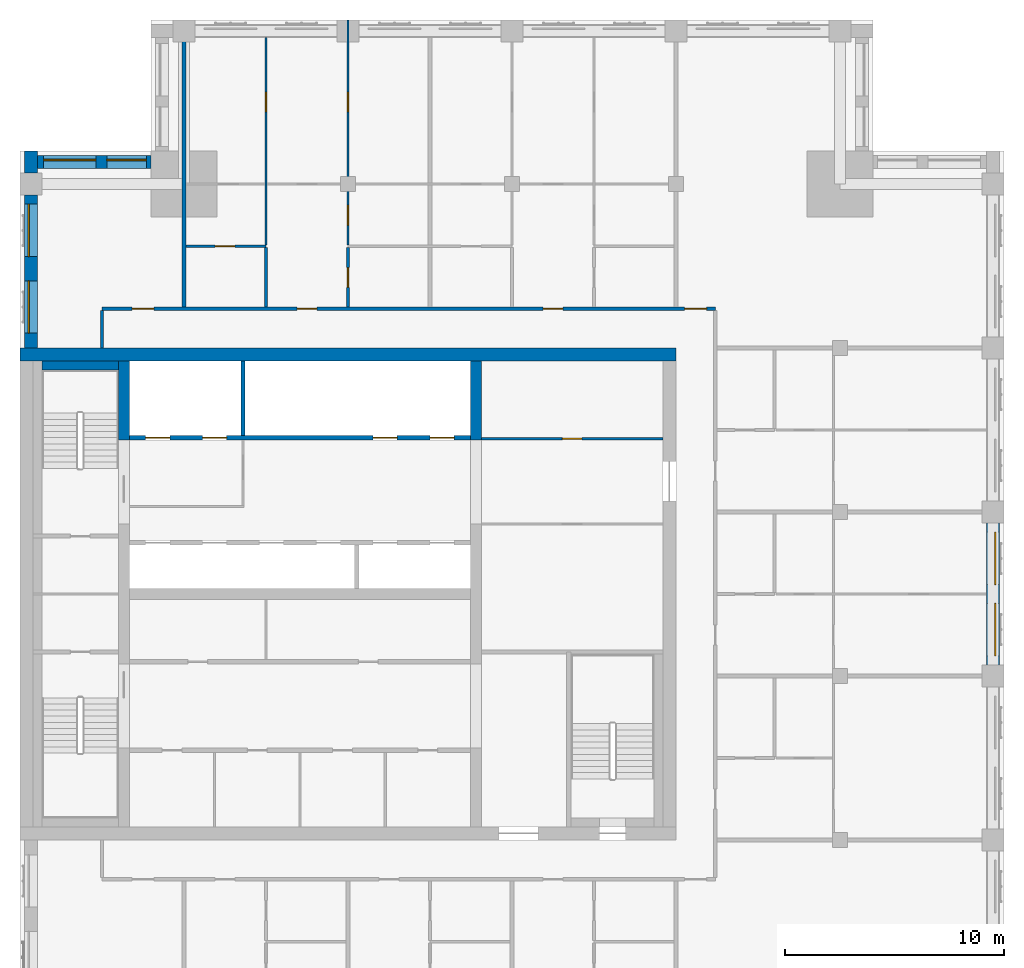
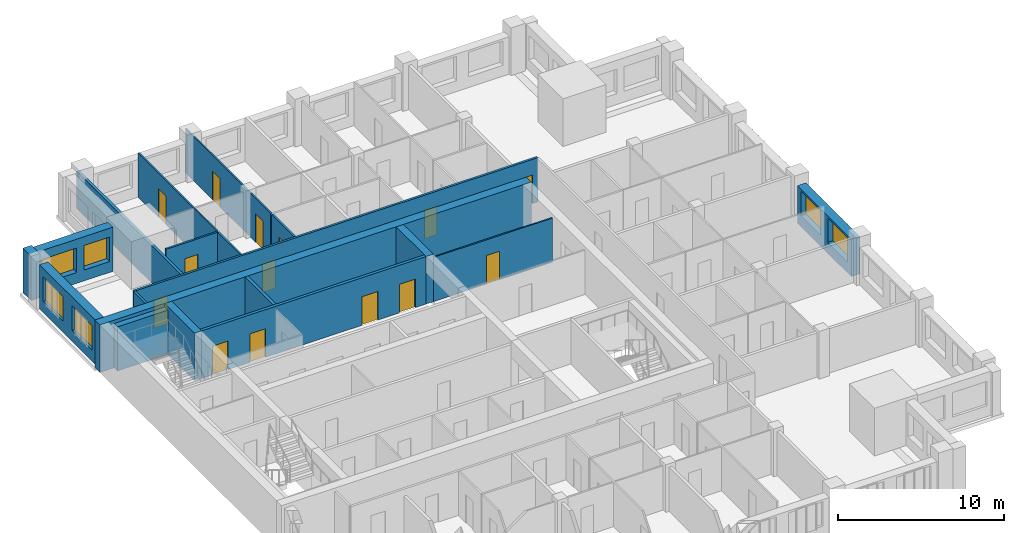
# One storey, part 6 of 10: 19 walls, 14 doors, 6 windows, 20 openings.
"""IFC4 building model written with IfcOpenShell, lengths in metres."""

from ifc_helpers import new_model, si_unit, direction, frame, frame_2d, origin, place, context, subcontext, project, spatial, rectangle, extrude, material, layer, layer_set, type_object, element, fill, save


model = new_model("IFC4")

# Units and contexts
model_context = context("Model", 3, precision=1e-05, world=origin(), true_north=direction((0.0, 1.0)))
body_context = subcontext(model_context, "Body", "Model", "MODEL_VIEW")
ifc_project = project(units=[si_unit("LENGTHUNIT", "METRE"), si_unit("AREAUNIT", "SQUARE_METRE"), si_unit("VOLUMEUNIT", "CUBIC_METRE"), si_unit("PLANEANGLEUNIT", "RADIAN"), si_unit("MASSUNIT", "GRAM", prefix="KILO")], contexts=[model_context])

# Site, building, storey
site_placement = place(None, origin())
site = spatial("IfcSite", under=ifc_project, at=site_placement, CompositionType="ELEMENT")
building_placement = place(site_placement, origin())
building = spatial("IfcBuilding", under=site, at=building_placement, Name="Tamorin Gate", CompositionType="ELEMENT")
storey_placement = place(building_placement, frame((0.0, 0.0, 276.699951171875)))
storey = spatial("IfcBuildingStorey", under=building, at=storey_placement, Name="L69", CompositionType="ELEMENT", Elevation=276.699951171875)

# Wall, openings, windows
ifc_material_1 = material(Name="Precast concrete C40/50", Category="concrete")
ifc_layer_1 = layer(ifc_material_1, 0.60009765625)
ifc_layer_set_1 = layer_set([ifc_layer_1], Name="Precast concrete C40/50")
wall_type_1 = type_object("IfcWallType", Name="Board-marked concrete facade panel 600", PredefinedType="SOLIDWALL", material=ifc_layer_set_1)
wall_1_placement = place(storey_placement, frame((74.5, 68.0, 0.0), z_axis=(0.0, 0.0, 1.0), x_axis=(0.0, 1.0, 0.0)))
wall_1 = element("IfcWall", 1, at=wall_1_placement, inside=storey, type_object=wall_type_1, Name="Facade panel", PredefinedType="SOLIDWALL", context=body_context, shape_type="SweptSolid", body=[
    extrude(rectangle(XDim=6.5, YDim=0.60009765625, at=frame_2d((3.25, 0.0))), origin(), (0.0, 0.0, 1.0), 2.75),
])
opening_1_placement = place(wall_1_placement, frame((0.425048828125, 0.0, 0.800048828125)))
opening_1 = element("IfcOpeningElement", 2, at=opening_1_placement, cuts=wall_1, Name="Opening WN1", PredefinedType="OPENING", context=body_context, shape_type="SweptSolid", body=[
    extrude(rectangle(XDim=2.39990234375, YDim=1.800048828125, at=frame_2d((1.199951171875, 0.89990234375))), frame((0.0, 0.31005859375, 0.0), z_axis=(0.0, -1.0, 0.0), x_axis=(1.0, 0.0, 0.0)), (0.0, 0.0, 1.0), 0.6201171875),
])
opening_2_placement = place(wall_1_placement, frame((3.675048828125, 0.0, 0.800048828125)))
opening_2 = element("IfcOpeningElement", 3, at=opening_2_placement, cuts=wall_1, Name="Opening WN1", PredefinedType="OPENING", context=body_context, shape_type="SweptSolid", body=[
    extrude(rectangle(XDim=2.39990234375, YDim=1.800048828125, at=frame_2d((1.199951171875, 0.89990234375))), frame((0.0, 0.31005859375, 0.0), z_axis=(0.0, -1.0, 0.0), x_axis=(1.0, 0.0, 0.0)), (0.0, 0.0, 1.0), 0.6201171875),
])
ifc_material_2 = material(Name="Clear glass in aluminium frame", Category="aluminium")
window_type_1 = type_object("IfcWindowType", Name="Deep-set window 2400x1800", PartitioningType="SINGLE_PANEL", PredefinedType="WINDOW", material=ifc_material_2)
window_1_placement = place(opening_1_placement, origin())
window_1 = element("IfcWindow", 4, at=window_1_placement, inside=storey, type_object=window_type_1, Name="Deep-set window", OverallHeight=1.800048828125, OverallWidth=2.39990234375, PartitioningType="SINGLE_PANEL", PredefinedType="WINDOW", context=body_context, shape_type="SweptSolid", body=[
    extrude(rectangle(XDim=2.39990234375, YDim=1.800048828125, at=frame_2d((1.199951171875, 0.89990234375))), frame((0.0, -0.070068359375, 0.0), z_axis=(0.0, -1.0, 0.0), x_axis=(1.0, 0.0, 0.0)), (0.0, 0.0, 1.0), 0.06005859375),
])
fill(opening_1, window_1)
window_2_placement = place(opening_2_placement, origin())
window_2 = element("IfcWindow", 5, at=window_2_placement, inside=storey, type_object=window_type_1, Name="Deep-set window", OverallHeight=1.800048828125, OverallWidth=2.39990234375, PartitioningType="SINGLE_PANEL", PredefinedType="WINDOW", context=body_context, shape_type="SweptSolid", body=[
    extrude(rectangle(XDim=2.39990234375, YDim=1.800048828125, at=frame_2d((1.199951171875, 0.89990234375))), frame((0.0, -0.070068359375, 0.0), z_axis=(0.0, -1.0, 0.0), x_axis=(1.0, 0.0, 0.0)), (0.0, 0.0, 1.0), 0.06005859375),
])
fill(opening_2, window_2)

wall_2_placement = place(storey_placement, frame((36.0, 91.0, 0.0), z_axis=(0.0, 0.0, 1.0), x_axis=(-1.0, 0.0, 0.0)))
wall_2 = element("IfcWall", 6, at=wall_2_placement, inside=storey, type_object=wall_type_1, Name="Facade panel", PredefinedType="SOLIDWALL", context=body_context, shape_type="SweptSolid", body=[
    extrude(rectangle(XDim=5.199951171875, YDim=0.60009765625, at=frame_2d((2.60009765625, 0.0))), origin(), (0.0, 0.0, 1.0), 3.25),
])
opening_3_placement = place(wall_2_placement, frame((2.52490234375, 0.0, 0.800048828125)))
opening_3 = element("IfcOpeningElement", 7, at=opening_3_placement, cuts=wall_2, Name="Opening WN1", PredefinedType="OPENING", context=body_context, shape_type="SweptSolid", body=[
    extrude(rectangle(XDim=2.39990234375, YDim=1.800048828125, at=frame_2d((1.199951171875, 0.89990234375))), frame((0.0, 0.31005859375, 0.0), z_axis=(0.0, -1.0, 0.0), x_axis=(1.0, 0.0, 0.0)), (0.0, 0.0, 1.0), 0.6201171875),
])
opening_4_placement = place(wall_2_placement, frame((0.22509765625, 0.0, 0.800048828125)))
opening_4 = element("IfcOpeningElement", 8, at=opening_4_placement, cuts=wall_2, Name="Opening WN2", PredefinedType="OPENING", context=body_context, shape_type="SweptSolid", body=[
    extrude(rectangle(XDim=1.800048828125, YDim=1.800048828125, at=frame_2d((0.89990234375, 0.89990234375))), frame((0.0, 0.31005859375, 0.0), z_axis=(0.0, -1.0, 0.0), x_axis=(1.0, 0.0, 0.0)), (0.0, 0.0, 1.0), 0.6201171875),
])
window_type_2 = type_object("IfcWindowType", Name="Deep-set window 1800x1800", PartitioningType="SINGLE_PANEL", PredefinedType="WINDOW", material=ifc_material_2)
window_3_placement = place(opening_4_placement, origin())
window_3 = element("IfcWindow", 9, at=window_3_placement, inside=storey, type_object=window_type_2, Name="Deep-set window", OverallHeight=1.800048828125, OverallWidth=1.800048828125, PartitioningType="SINGLE_PANEL", PredefinedType="WINDOW", context=body_context, shape_type="SweptSolid", body=[
    extrude(rectangle(XDim=1.800048828125, YDim=1.800048828125, at=frame_2d((0.89990234375, 0.89990234375))), frame((0.0, -0.070068359375, 0.0), z_axis=(0.0, -1.0, 0.0), x_axis=(1.0, 0.0, 0.0)), (0.0, 0.0, 1.0), 0.06005859375),
])
fill(opening_4, window_3)
window_4_placement = place(opening_3_placement, origin())
window_4 = element("IfcWindow", 10, at=window_4_placement, inside=storey, type_object=window_type_1, Name="Deep-set window", OverallHeight=1.800048828125, OverallWidth=2.39990234375, PartitioningType="SINGLE_PANEL", PredefinedType="WINDOW", context=body_context, shape_type="SweptSolid", body=[
    extrude(rectangle(XDim=2.39990234375, YDim=1.800048828125, at=frame_2d((1.199951171875, 0.89990234375))), frame((0.0, -0.070068359375, 0.0), z_axis=(0.0, -1.0, 0.0), x_axis=(1.0, 0.0, 0.0)), (0.0, 0.0, 1.0), 0.06005859375),
])
fill(opening_3, window_4)

# Wall
wall_3_placement = place(storey_placement, frame((30.5, 91.5, 0.0), z_axis=(0.0, 0.0, 1.0), x_axis=(0.0, -1.0, 0.0)))
element("IfcWall", 11, at=wall_3_placement, inside=storey, type_object=wall_type_1, Name="Facade panel", PredefinedType="SOLIDWALL", context=body_context, shape_type="SweptSolid", body=[
    extrude(rectangle(XDim=1.0, YDim=0.60009765625, at=frame_2d((0.5, 0.0))), origin(), (0.0, 0.0, 1.0), 3.25),
])

# Wall, openings, windows
wall_4_placement = place(storey_placement, frame((30.5, 89.5, 0.0), z_axis=(0.0, 0.0, 1.0), x_axis=(0.0, -1.0, 0.0)))
wall_4 = element("IfcWall", 12, at=wall_4_placement, inside=storey, type_object=wall_type_1, Name="Facade panel", PredefinedType="SOLIDWALL", context=body_context, shape_type="SweptSolid", body=[
    extrude(rectangle(XDim=7.0, YDim=0.60009765625, at=frame_2d((3.5, 0.0))), origin(), (0.0, 0.0, 1.0), 3.25),
])
opening_5_placement = place(wall_4_placement, frame((3.925048828125, 0.0, 0.800048828125)))
opening_5 = element("IfcOpeningElement", 13, at=opening_5_placement, cuts=wall_4, Name="Opening WN1", PredefinedType="OPENING", context=body_context, shape_type="SweptSolid", body=[
    extrude(rectangle(XDim=2.39990234375, YDim=1.800048828125, at=frame_2d((1.199951171875, 0.89990234375))), frame((0.0, 0.31005859375, 0.0), z_axis=(0.0, -1.0, 0.0), x_axis=(1.0, 0.0, 0.0)), (0.0, 0.0, 1.0), 0.6201171875),
])
opening_6_placement = place(wall_4_placement, frame((0.425048828125, 0.0, 0.800048828125)))
opening_6 = element("IfcOpeningElement", 14, at=opening_6_placement, cuts=wall_4, Name="Opening WN1", PredefinedType="OPENING", context=body_context, shape_type="SweptSolid", body=[
    extrude(rectangle(XDim=2.39990234375, YDim=1.800048828125, at=frame_2d((1.199951171875, 0.89990234375))), frame((0.0, 0.31005859375, 0.0), z_axis=(0.0, -1.0, 0.0), x_axis=(1.0, 0.0, 0.0)), (0.0, 0.0, 1.0), 0.6201171875),
])
window_5_placement = place(opening_5_placement, origin())
window_5 = element("IfcWindow", 15, at=window_5_placement, inside=storey, type_object=window_type_1, Name="Deep-set window", OverallHeight=1.800048828125, OverallWidth=2.39990234375, PartitioningType="SINGLE_PANEL", PredefinedType="WINDOW", context=body_context, shape_type="SweptSolid", body=[
    extrude(rectangle(XDim=2.39990234375, YDim=1.800048828125, at=frame_2d((1.199951171875, 0.89990234375))), frame((0.0, -0.070068359375, 0.0), z_axis=(0.0, -1.0, 0.0), x_axis=(1.0, 0.0, 0.0)), (0.0, 0.0, 1.0), 0.06005859375),
])
fill(opening_5, window_5)
window_6_placement = place(opening_6_placement, origin())
window_6 = element("IfcWindow", 16, at=window_6_placement, inside=storey, type_object=window_type_1, Name="Deep-set window", OverallHeight=1.800048828125, OverallWidth=2.39990234375, PartitioningType="SINGLE_PANEL", PredefinedType="WINDOW", context=body_context, shape_type="SweptSolid", body=[
    extrude(rectangle(XDim=2.39990234375, YDim=1.800048828125, at=frame_2d((1.199951171875, 0.89990234375))), frame((0.0, -0.070068359375, 0.0), z_axis=(0.0, -1.0, 0.0), x_axis=(1.0, 0.0, 0.0)), (0.0, 0.0, 1.0), 0.06005859375),
])
fill(opening_6, window_6)

# Wall, openings, doors
ifc_material_3 = material(Name="Gypsum board partition")
ifc_layer_2 = layer(ifc_material_3, 0.14990234375)
ifc_layer_set_2 = layer_set([ifc_layer_2], Name="Corridor wall 150")
wall_type_2 = type_object("IfcWallType", Name="Corridor wall 150", PredefinedType="PARTITIONING", material=ifc_layer_set_2)
wall_5_placement = place(storey_placement, frame((33.75, 84.300048828125, 0.0), z_axis=(0.0, 0.0, 1.0), x_axis=(1.0, 0.0, 0.0)))
wall_5 = element("IfcWall", 17, at=wall_5_placement, inside=storey, type_object=wall_type_2, Name="Corridor wall 150", PredefinedType="PARTITIONING", context=body_context, shape_type="SweptSolid", body=[
    extrude(rectangle(XDim=28.050048828125, YDim=0.14990234375, at=frame_2d((14.02490234375, 0.0))), origin(), (0.0, 0.0, 1.0), 3.25),
])
opening_7_placement = place(wall_5_placement, frame((1.375, 0.0, 0.0)))
opening_7 = element("IfcOpeningElement", 18, at=opening_7_placement, cuts=wall_5, Name="Opening DR11017", PredefinedType="OPENING", context=body_context, shape_type="SweptSolid", body=[
    extrude(rectangle(XDim=1.0, YDim=2.10009765625, at=frame_2d((0.5, 1.050048828125))), frame((0.0, 0.0849609375, 0.0), z_axis=(0.0, -1.0, 0.0), x_axis=(1.0, 0.0, 0.0)), (0.0, 0.0, 1.0), 0.169921875),
])
opening_8_placement = place(wall_5_placement, frame((8.925048828125, 0.0, 0.0)))
opening_8 = element("IfcOpeningElement", 19, at=opening_8_placement, cuts=wall_5, Name="Opening DR11020", PredefinedType="OPENING", context=body_context, shape_type="SweptSolid", body=[
    extrude(rectangle(XDim=0.89990234375, YDim=2.10009765625, at=frame_2d((0.449951171875, 1.050048828125))), frame((0.0, 0.0849609375, 0.0), z_axis=(0.0, -1.0, 0.0), x_axis=(1.0, 0.0, 0.0)), (0.0, 0.0, 1.0), 0.169921875),
])
opening_9_placement = place(wall_5_placement, frame((20.175048828125, 0.0, 0.0)))
opening_9 = element("IfcOpeningElement", 20, at=opening_9_placement, cuts=wall_5, Name="Opening DR11028", PredefinedType="OPENING", context=body_context, shape_type="SweptSolid", body=[
    extrude(rectangle(XDim=0.89990234375, YDim=2.10009765625, at=frame_2d((0.449951171875, 1.050048828125))), frame((0.0, 0.0849609375, 0.0), z_axis=(0.0, -1.0, 0.0), x_axis=(1.0, 0.0, 0.0)), (0.0, 0.0, 1.0), 0.169921875),
])
opening_10_placement = place(wall_5_placement, frame((26.64990234375, 0.0, 0.0)))
opening_10 = element("IfcOpeningElement", 21, at=opening_10_placement, cuts=wall_5, Name="Opening DR11034", PredefinedType="OPENING", context=body_context, shape_type="SweptSolid", body=[
    extrude(rectangle(XDim=1.0, YDim=2.10009765625, at=frame_2d((0.5, 1.050048828125))), frame((0.0, 0.0849609375, 0.0), z_axis=(0.0, -1.0, 0.0), x_axis=(1.0, 0.0, 0.0)), (0.0, 0.0, 1.0), 0.169921875),
])
ifc_material_4 = material(Name="Timber door leaf", Category="wood")
door_type_1 = type_object("IfcDoorType", Name="Door 1000 x 2100 FD30S", OperationType="NOTDEFINED", PredefinedType="DOOR", material=ifc_material_4)
door_1_placement = place(opening_7_placement, origin())
door_1 = element("IfcDoor", 22, at=door_1_placement, inside=storey, type_object=door_type_1, Name="Door DR11017", OperationType="SINGLE_SWING_LEFT", OverallHeight=2.10009765625, OverallWidth=1.0, PredefinedType="DOOR", context=body_context, shape_type="SweptSolid", body=[
    extrude(rectangle(XDim=1.0, YDim=2.10009765625, at=frame_2d((0.5, 1.050048828125))), frame((0.0, 0.02490234375, 0.0), z_axis=(0.0, -1.0, 0.0), x_axis=(1.0, 0.0, 0.0)), (0.0, 0.0, 1.0), 0.050048828125),
])
fill(opening_7, door_1)
door_2_placement = place(opening_10_placement, origin())
door_2 = element("IfcDoor", 23, at=door_2_placement, inside=storey, type_object=door_type_1, Name="Door DR11034", OperationType="SINGLE_SWING_LEFT", OverallHeight=2.10009765625, OverallWidth=1.0, PredefinedType="DOOR", context=body_context, shape_type="SweptSolid", body=[
    extrude(rectangle(XDim=1.0, YDim=2.10009765625, at=frame_2d((0.5, 1.050048828125))), frame((0.0, 0.02490234375, 0.0), z_axis=(0.0, -1.0, 0.0), x_axis=(1.0, 0.0, 0.0)), (0.0, 0.0, 1.0), 0.050048828125),
])
fill(opening_10, door_2)
door_type_2 = type_object("IfcDoorType", Name="Door 900 x 2100 FD30S", OperationType="NOTDEFINED", PredefinedType="DOOR", material=ifc_material_4)
door_3_placement = place(opening_8_placement, origin())
door_3 = element("IfcDoor", 24, at=door_3_placement, inside=storey, type_object=door_type_2, Name="Door DR11020", OperationType="SINGLE_SWING_LEFT", OverallHeight=2.10009765625, OverallWidth=0.89990234375, PredefinedType="DOOR", context=body_context, shape_type="SweptSolid", body=[
    extrude(rectangle(XDim=0.89990234375, YDim=2.10009765625, at=frame_2d((0.449951171875, 1.050048828125))), frame((0.0, 0.02490234375, 0.0), z_axis=(0.0, -1.0, 0.0), x_axis=(1.0, 0.0, 0.0)), (0.0, 0.0, 1.0), 0.050048828125),
])
fill(opening_8, door_3)
door_4_placement = place(opening_9_placement, origin())
door_4 = element("IfcDoor", 25, at=door_4_placement, inside=storey, type_object=door_type_2, Name="Door DR11028", OperationType="SINGLE_SWING_LEFT", OverallHeight=2.10009765625, OverallWidth=0.89990234375, PredefinedType="DOOR", context=body_context, shape_type="SweptSolid", body=[
    extrude(rectangle(XDim=0.89990234375, YDim=2.10009765625, at=frame_2d((0.449951171875, 1.050048828125))), frame((0.0, 0.02490234375, 0.0), z_axis=(0.0, -1.0, 0.0), x_axis=(1.0, 0.0, 0.0)), (0.0, 0.0, 1.0), 0.050048828125),
])
fill(opening_9, door_4)

# Walls
wall_6_placement = place(storey_placement, frame((33.75, 82.5, 0.0), z_axis=(0.0, 0.0, 1.0), x_axis=(0.0, 1.0, 0.0)))
element("IfcWall", 26, at=wall_6_placement, inside=storey, type_object=wall_type_2, Name="Corridor wall 150", PredefinedType="PARTITIONING", context=body_context, shape_type="SweptSolid", body=[
    extrude(rectangle(XDim=1.72509765625, YDim=0.14990234375, at=frame_2d((0.862548828125, 0.0))), origin(), (0.0, 0.0, 1.0), 3.25),
])
ifc_layer_3 = layer(ifc_material_3, 0.199951171875)
ifc_layer_set_3 = layer_set([ifc_layer_3], Name="Demising wall 200")
wall_type_3 = type_object("IfcWallType", Name="Demising wall 200", PredefinedType="PARTITIONING", material=ifc_layer_set_3)
wall_7_placement = place(storey_placement, frame((37.5, 84.375, 0.0), z_axis=(0.0, 0.0, 1.0), x_axis=(0.0, 1.0, 0.0)))
element("IfcWall", 27, at=wall_7_placement, inside=storey, type_object=wall_type_3, Name="Demising wall 200", PredefinedType="PARTITIONING", context=body_context, shape_type="SweptSolid", body=[
    extrude(rectangle(XDim=13.125, YDim=0.199951171875, at=frame_2d((6.5625, 0.0))), origin(), (0.0, 0.0, 1.0), 2.75),
])

# Wall, openings, doors
ifc_material_5 = material(Name="Concrete C32/40", Category="concrete")
ifc_layer_4 = layer(ifc_material_5, 0.199951171875)
ifc_layer_set_4 = layer_set([ifc_layer_4], Name="Lift lobby face wall 200 EI 120")
wall_type_4 = type_object("IfcWallType", Name="Lift lobby face wall 200 EI 120", PredefinedType="SOLIDWALL", material=ifc_layer_set_4)
wall_8_placement = place(storey_placement, frame((35.0, 78.39990234375, 0.0), z_axis=(0.0, 0.0, 1.0), x_axis=(1.0, 0.0, 0.0)))
wall_8 = element("IfcWall", 28, at=wall_8_placement, inside=storey, type_object=wall_type_4, Name="Lift lobby face wall", PredefinedType="SOLIDWALL", context=body_context, shape_type="SweptSolid", body=[
    extrude(rectangle(XDim=15.60009765625, YDim=0.199951171875, at=frame_2d((7.800048828125, 0.0))), origin(), (0.0, 0.0, 1.0), 3.5),
])
opening_11_placement = place(wall_8_placement, frame((0.75, 0.0, 0.0)))
opening_11 = element("IfcOpeningElement", 29, at=opening_11_placement, cuts=wall_8, Name="Opening LD17", PredefinedType="OPENING", context=body_context, shape_type="SweptSolid", body=[
    extrude(rectangle(XDim=1.10009765625, YDim=2.10009765625, at=frame_2d((0.550048828125, 1.050048828125))), frame((0.0, 0.10986328125, 0.0), z_axis=(0.0, -1.0, 0.0), x_axis=(1.0, 0.0, 0.0)), (0.0, 0.0, 1.0), 0.219970703125),
])
opening_12_placement = place(wall_8_placement, frame((3.35009765625, 0.0, 0.0)))
opening_12 = element("IfcOpeningElement", 30, at=opening_12_placement, cuts=wall_8, Name="Opening LD18", PredefinedType="OPENING", context=body_context, shape_type="SweptSolid", body=[
    extrude(rectangle(XDim=1.10009765625, YDim=2.10009765625, at=frame_2d((0.550048828125, 1.050048828125))), frame((0.0, 0.10986328125, 0.0), z_axis=(0.0, -1.0, 0.0), x_axis=(1.0, 0.0, 0.0)), (0.0, 0.0, 1.0), 0.219970703125),
])
opening_13_placement = place(wall_8_placement, frame((11.14990234375, 0.0, 0.0)))
opening_13 = element("IfcOpeningElement", 31, at=opening_13_placement, cuts=wall_8, Name="Opening LD21", PredefinedType="OPENING", context=body_context, shape_type="SweptSolid", body=[
    extrude(rectangle(XDim=1.10009765625, YDim=2.10009765625, at=frame_2d((0.550048828125, 1.050048828125))), frame((0.0, 0.10986328125, 0.0), z_axis=(0.0, -1.0, 0.0), x_axis=(1.0, 0.0, 0.0)), (0.0, 0.0, 1.0), 0.219970703125),
])
opening_14_placement = place(wall_8_placement, frame((13.75, 0.0, 0.0)))
opening_14 = element("IfcOpeningElement", 32, at=opening_14_placement, cuts=wall_8, Name="Opening LD22", PredefinedType="OPENING", context=body_context, shape_type="SweptSolid", body=[
    extrude(rectangle(XDim=1.10009765625, YDim=2.10009765625, at=frame_2d((0.550048828125, 1.050048828125))), frame((0.0, 0.10986328125, 0.0), z_axis=(0.0, -1.0, 0.0), x_axis=(1.0, 0.0, 0.0)), (0.0, 0.0, 1.0), 0.219970703125),
])
ifc_material_6 = material(Name="Stainless steel sliding door", Category="steel")
door_type_3 = type_object("IfcDoorType", Name="Lift landing door 1100 x 2100 E 90", OperationType="DOUBLE_DOOR_SLIDING", PredefinedType="DOOR", material=ifc_material_6)
door_5_placement = place(opening_11_placement, origin())
door_5 = element("IfcDoor", 33, at=door_5_placement, inside=storey, type_object=door_type_3, Name="FF1 landing door", OperationType="DOUBLE_DOOR_SLIDING", OverallHeight=2.10009765625, OverallWidth=1.10009765625, PredefinedType="DOOR", context=body_context, shape_type="SweptSolid", body=[
    extrude(rectangle(XDim=1.10009765625, YDim=2.10009765625, at=frame_2d((0.550048828125, 1.050048828125))), frame((0.0, 0.02490234375, 0.0), z_axis=(0.0, -1.0, 0.0), x_axis=(1.0, 0.0, 0.0)), (0.0, 0.0, 1.0), 0.050048828125),
])
fill(opening_11, door_5)
door_6_placement = place(opening_12_placement, origin())
door_6 = element("IfcDoor", 34, at=door_6_placement, inside=storey, type_object=door_type_3, Name="FF2 landing door", OperationType="DOUBLE_DOOR_SLIDING", OverallHeight=2.10009765625, OverallWidth=1.10009765625, PredefinedType="DOOR", context=body_context, shape_type="SweptSolid", body=[
    extrude(rectangle(XDim=1.10009765625, YDim=2.10009765625, at=frame_2d((0.550048828125, 1.050048828125))), frame((0.0, 0.02490234375, 0.0), z_axis=(0.0, -1.0, 0.0), x_axis=(1.0, 0.0, 0.0)), (0.0, 0.0, 1.0), 0.050048828125),
])
fill(opening_12, door_6)
door_7_placement = place(opening_13_placement, origin())
door_7 = element("IfcDoor", 35, at=door_7_placement, inside=storey, type_object=door_type_3, Name="SV1 landing door", OperationType="DOUBLE_DOOR_SLIDING", OverallHeight=2.10009765625, OverallWidth=1.10009765625, PredefinedType="DOOR", context=body_context, shape_type="SweptSolid", body=[
    extrude(rectangle(XDim=1.10009765625, YDim=2.10009765625, at=frame_2d((0.550048828125, 1.050048828125))), frame((0.0, 0.02490234375, 0.0), z_axis=(0.0, -1.0, 0.0), x_axis=(1.0, 0.0, 0.0)), (0.0, 0.0, 1.0), 0.050048828125),
])
fill(opening_13, door_7)
door_8_placement = place(opening_14_placement, origin())
door_8 = element("IfcDoor", 36, at=door_8_placement, inside=storey, type_object=door_type_3, Name="SV2 landing door", OperationType="DOUBLE_DOOR_SLIDING", OverallHeight=2.10009765625, OverallWidth=1.10009765625, PredefinedType="DOOR", context=body_context, shape_type="SweptSolid", body=[
    extrude(rectangle(XDim=1.10009765625, YDim=2.10009765625, at=frame_2d((0.550048828125, 1.050048828125))), frame((0.0, 0.02490234375, 0.0), z_axis=(0.0, -1.0, 0.0), x_axis=(1.0, 0.0, 0.0)), (0.0, 0.0, 1.0), 0.050048828125),
])
fill(opening_14, door_8)

# Walls
ifc_layer_5 = layer(ifc_material_5, 0.199951171875)
ifc_layer_set_5 = layer_set([ifc_layer_5], Name="Lift shaft wall 200 EI 120")
wall_type_5 = type_object("IfcWallType", Name="Lift shaft wall 200 EI 120", PredefinedType="SOLIDWALL", material=ifc_layer_set_5)
wall_9_placement = place(storey_placement, frame((40.199951171875, 78.5, 0.0), z_axis=(0.0, 0.0, 1.0), x_axis=(0.0, 1.0, 0.0)))
element("IfcWall", 37, at=wall_9_placement, inside=storey, type_object=wall_type_5, Name="Lift shaft wall", PredefinedType="SOLIDWALL", context=body_context, shape_type="SweptSolid", body=[
    extrude(rectangle(XDim=3.39990234375, YDim=0.199951171875, at=frame_2d((1.699951171875, 0.0))), origin(), (0.0, 0.0, 1.0), 3.5),
])
ifc_material_7 = material(Name="Concrete C50/60", Category="concrete")
ifc_layer_6 = layer(ifc_material_7, 0.5)
ifc_layer_set_6 = layer_set([ifc_layer_6], Name="RC core internal wall 500 C50/60")
wall_type_6 = type_object("IfcWallType", Name="RC core internal wall 500 C50/60", PredefinedType="SHEAR", material=ifc_layer_set_6)
for number, where, z_axis, x_axis, name in (
    (38, (34.75, 78.300048828125, 0.0), (0.0, 0.0, 1.0), (0.0, 1.0, 0.0), "Core cross wall L69"),
    (39, (50.85009765625, 78.300048828125, 0.0), (0.0, 0.0, 1.0), (0.0, 1.0, 0.0), "Core cross wall L69"),
):
    element("IfcWall", number, at=place(storey_placement, frame(where, z_axis=z_axis, x_axis=x_axis)), inside=storey, type_object=wall_type_6, Name=name, PredefinedType="SHEAR", context=body_context, shape_type="SweptSolid", body=[
        extrude(rectangle(XDim=3.599853515625, YDim=0.5, at=frame_2d((1.7998046875, 0.0))), origin(), (0.0, 0.0, 1.0), 3.5),
    ])
ifc_layer_7 = layer(ifc_material_7, 0.60009765625)
ifc_layer_set_7 = layer_set([ifc_layer_7], Name="RC core wall 600 C50/60")
wall_type_7 = type_object("IfcWallType", Name="RC core wall 600 C50/60", PredefinedType="SHEAR", material=ifc_layer_set_7)
wall_10_placement = place(storey_placement, frame((30.0, 82.199951171875, 0.0), z_axis=(0.0, 0.0, 1.0), x_axis=(1.0, 0.0, 0.0)))
element("IfcWall", 40, at=wall_10_placement, inside=storey, type_object=wall_type_7, Name="Core wall L69", PredefinedType="SHEAR", context=body_context, shape_type="SweptSolid", body=[
    extrude(rectangle(XDim=30.0, YDim=0.60009765625, at=frame_2d((15.0, 0.0))), origin(), (0.0, 0.0, 1.0), 3.5),
])

# Wall, opening, door
ifc_layer_8 = layer(ifc_material_3, 0.10009765625)
ifc_layer_set_8 = layer_set([ifc_layer_8], Name="Room partition 100")
wall_type_8 = type_object("IfcWallType", Name="Room partition 100", PredefinedType="PARTITIONING", material=ifc_layer_set_8)
wall_11_placement = place(storey_placement, frame((41.25, 87.21240234375, 0.0), z_axis=(0.0, 0.0, 1.0), x_axis=(0.0, 1.0, 0.0)))
wall_11 = element("IfcWall", 41, at=wall_11_placement, inside=storey, type_object=wall_type_8, Name="Room partition 100", PredefinedType="PARTITIONING", context=body_context, shape_type="SweptSolid", body=[
    extrude(rectangle(XDim=9.4775390625, YDim=0.10009765625, at=frame_2d((4.73876953125, 0.0))), origin(), (0.0, 0.0, 1.0), 3.25),
])
opening_15_placement = place(wall_11_placement, frame((6.08740234375, 0.0, 0.0)))
opening_15 = element("IfcOpeningElement", 42, at=opening_15_placement, cuts=wall_11, Name="Opening DR11024", PredefinedType="OPENING", context=body_context, shape_type="SweptSolid", body=[
    extrude(rectangle(XDim=0.89990234375, YDim=2.10009765625, at=frame_2d((0.449951171875, 1.050048828125))), frame((0.0, 0.06005859375, 0.0), z_axis=(0.0, -1.0, 0.0), x_axis=(1.0, 0.0, 0.0)), (0.0, 0.0, 1.0), 0.1201171875),
])
door_type_4 = type_object("IfcDoorType", Name="Door 900 x 2100", OperationType="NOTDEFINED", PredefinedType="DOOR", material=ifc_material_4)
door_9_placement = place(opening_15_placement, origin())
door_9 = element("IfcDoor", 43, at=door_9_placement, inside=storey, type_object=door_type_4, Name="Door DR11024", OperationType="SINGLE_SWING_LEFT", OverallHeight=2.10009765625, OverallWidth=0.89990234375, PredefinedType="DOOR", context=body_context, shape_type="SweptSolid", body=[
    extrude(rectangle(XDim=0.89990234375, YDim=2.10009765625, at=frame_2d((0.449951171875, 1.050048828125))), frame((0.0, 0.02490234375, 0.0), z_axis=(0.0, -1.0, 0.0), x_axis=(1.0, 0.0, 0.0)), (0.0, 0.0, 1.0), 0.050048828125),
])
fill(opening_15, door_9)

# Wall, openings, doors
wall_12_placement = place(storey_placement, frame((45.0, 87.21240234375, 0.0), z_axis=(0.0, 0.0, 1.0), x_axis=(0.0, 1.0, 0.0)))
wall_12 = element("IfcWall", 44, at=wall_12_placement, inside=storey, type_object=wall_type_8, Name="Room partition 100", PredefinedType="PARTITIONING", context=body_context, shape_type="SweptSolid", body=[
    extrude(rectangle(XDim=10.28759765625, YDim=0.10009765625, at=frame_2d((5.143798828125, 0.0))), origin(), (0.0, 0.0, 1.0), 3.25),
])
opening_16_placement = place(wall_12_placement, frame((0.91259765625, 0.0, 0.0)))
opening_16 = element("IfcOpeningElement", 45, at=opening_16_placement, cuts=wall_12, Name="Opening DR11022", PredefinedType="OPENING", context=body_context, shape_type="SweptSolid", body=[
    extrude(rectangle(XDim=0.89990234375, YDim=2.10009765625, at=frame_2d((0.449951171875, 1.050048828125))), frame((0.0, 0.06005859375, 0.0), z_axis=(0.0, -1.0, 0.0), x_axis=(1.0, 0.0, 0.0)), (0.0, 0.0, 1.0), 0.1201171875),
])
opening_17_placement = place(wall_12_placement, frame((6.08740234375, 0.0, 0.0)))
opening_17 = element("IfcOpeningElement", 46, at=opening_17_placement, cuts=wall_12, Name="Opening DR11025", PredefinedType="OPENING", context=body_context, shape_type="SweptSolid", body=[
    extrude(rectangle(XDim=0.89990234375, YDim=2.10009765625, at=frame_2d((0.449951171875, 1.050048828125))), frame((0.0, 0.06005859375, 0.0), z_axis=(0.0, -1.0, 0.0), x_axis=(1.0, 0.0, 0.0)), (0.0, 0.0, 1.0), 0.1201171875),
])
door_10_placement = place(opening_16_placement, origin())
door_10 = element("IfcDoor", 47, at=door_10_placement, inside=storey, type_object=door_type_4, Name="Door DR11022", OperationType="SINGLE_SWING_LEFT", OverallHeight=2.10009765625, OverallWidth=0.89990234375, PredefinedType="DOOR", context=body_context, shape_type="SweptSolid", body=[
    extrude(rectangle(XDim=0.89990234375, YDim=2.10009765625, at=frame_2d((0.449951171875, 1.050048828125))), frame((0.0, 0.02490234375, 0.0), z_axis=(0.0, -1.0, 0.0), x_axis=(1.0, 0.0, 0.0)), (0.0, 0.0, 1.0), 0.050048828125),
])
fill(opening_16, door_10)
door_11_placement = place(opening_17_placement, origin())
door_11 = element("IfcDoor", 48, at=door_11_placement, inside=storey, type_object=door_type_4, Name="Door DR11025", OperationType="SINGLE_SWING_LEFT", OverallHeight=2.10009765625, OverallWidth=0.89990234375, PredefinedType="DOOR", context=body_context, shape_type="SweptSolid", body=[
    extrude(rectangle(XDim=0.89990234375, YDim=2.10009765625, at=frame_2d((0.449951171875, 1.050048828125))), frame((0.0, 0.02490234375, 0.0), z_axis=(0.0, -1.0, 0.0), x_axis=(1.0, 0.0, 0.0)), (0.0, 0.0, 1.0), 0.050048828125),
])
fill(opening_17, door_11)

# Wall, opening, door
ifc_layer_9 = layer(ifc_material_3, 0.10009765625)
ifc_layer_set_9 = layer_set([ifc_layer_9], Name="Service room partition 100 EI 60")
wall_type_9 = type_object("IfcWallType", Name="Service room partition 100 EI 60", PredefinedType="PARTITIONING", material=ifc_layer_set_9)
wall_13_placement = place(storey_placement, frame((51.10009765625, 78.35009765625, 0.0), z_axis=(0.0, 0.0, 1.0), x_axis=(1.0, 0.0, 0.0)))
wall_13 = element("IfcWall", 49, at=wall_13_placement, inside=storey, type_object=wall_type_9, Name="Service room wall", PredefinedType="PARTITIONING", context=body_context, shape_type="SweptSolid", body=[
    extrude(rectangle(XDim=8.2998046875, YDim=0.10009765625, at=frame_2d((4.14990234375, 0.0))), origin(), (0.0, 0.0, 1.0), 3.25),
])
opening_18_placement = place(wall_13_placement, frame((3.699951171875, 0.0, 0.0)))
opening_18 = element("IfcOpeningElement", 50, at=opening_18_placement, cuts=wall_13, Name="Opening DK1", PredefinedType="OPENING", context=body_context, shape_type="SweptSolid", body=[
    extrude(rectangle(XDim=0.89990234375, YDim=2.10009765625, at=frame_2d((0.449951171875, 1.050048828125))), frame((0.0, 0.06005859375, 0.0), z_axis=(0.0, -1.0, 0.0), x_axis=(1.0, 0.0, 0.0)), (0.0, 0.0, 1.0), 0.1201171875),
])
ifc_material_8 = material(Name="Timber fire door", Category="wood")
door_type_5 = type_object("IfcDoorType", Name="Service room door 900 x 2100 EI 60", OperationType="SINGLE_SWING_LEFT", PredefinedType="DOOR", material=ifc_material_8)
door_12_placement = place(opening_18_placement, origin())
door_12 = element("IfcDoor", 51, at=door_12_placement, inside=storey, type_object=door_type_5, Name="Door Linen store", OperationType="SINGLE_SWING_LEFT", OverallHeight=2.10009765625, OverallWidth=0.89990234375, PredefinedType="DOOR", context=body_context, shape_type="SweptSolid", body=[
    extrude(rectangle(XDim=0.89990234375, YDim=2.10009765625, at=frame_2d((0.449951171875, 1.050048828125))), frame((0.0, 0.02490234375, 0.0), z_axis=(0.0, -1.0, 0.0), x_axis=(1.0, 0.0, 0.0)), (0.0, 0.0, 1.0), 0.050048828125),
])
fill(opening_18, door_12)

# Wall
ifc_layer_10 = layer(ifc_material_7, 0.39990234375)
ifc_layer_set_10 = layer_set([ifc_layer_10], Name="Stair lining wall 400 EI 120 C50/60")
wall_type_10 = type_object("IfcWallType", Name="Stair lining wall 400 EI 120 C50/60", PredefinedType="SOLIDWALL", material=ifc_layer_set_10)
wall_14_placement = place(storey_placement, frame((31.0, 81.699951171875, 0.0), z_axis=(0.0, 0.0, 1.0), x_axis=(1.0, 0.0, 0.0)))
element("IfcWall", 52, at=wall_14_placement, inside=storey, type_object=wall_type_10, Name="Stair lining wall", PredefinedType="SOLIDWALL", context=body_context, shape_type="SweptSolid", body=[
    extrude(rectangle(XDim=3.5, YDim=0.39990234375, at=frame_2d((1.75, 0.0))), origin(), (0.0, 0.0, 1.0), 3.25),
])

# Wall, opening, door
ifc_layer_11 = layer(ifc_material_3, 0.125)
ifc_layer_set_11 = layer_set([ifc_layer_11], Name="Wet wall 125")
wall_type_11 = type_object("IfcWallType", Name="Wet wall 125", PredefinedType="PARTITIONING", material=ifc_layer_set_11)
wall_15_placement = place(storey_placement, frame((37.60009765625, 87.14990234375, 0.0), z_axis=(0.0, 0.0, 1.0), x_axis=(1.0, 0.0, 0.0)))
wall_15 = element("IfcWall", 53, at=wall_15_placement, inside=storey, type_object=wall_type_11, Name="Wet wall 125", PredefinedType="PARTITIONING", context=body_context, shape_type="SweptSolid", body=[
    extrude(rectangle(XDim=3.64990234375, YDim=0.125, at=frame_2d((1.824951171875, 0.0))), origin(), (0.0, 0.0, 1.0), 3.25),
])
opening_19_placement = place(wall_15_placement, frame((1.324951171875, 0.0, 0.0)))
opening_19 = element("IfcOpeningElement", 54, at=opening_19_placement, cuts=wall_15, Name="Opening DR11019", PredefinedType="OPENING", context=body_context, shape_type="SweptSolid", body=[
    extrude(rectangle(XDim=0.89990234375, YDim=2.10009765625, at=frame_2d((0.449951171875, 1.050048828125))), frame((0.0, 0.072509765625, 0.0), z_axis=(0.0, -1.0, 0.0), x_axis=(1.0, 0.0, 0.0)), (0.0, 0.0, 1.0), 0.14501953125),
])
door_13_placement = place(opening_19_placement, origin())
door_13 = element("IfcDoor", 55, at=door_13_placement, inside=storey, type_object=door_type_4, Name="Door DR11019", OperationType="SINGLE_SWING_RIGHT", OverallHeight=2.10009765625, OverallWidth=0.89990234375, PredefinedType="DOOR", context=body_context, shape_type="SweptSolid", body=[
    extrude(rectangle(XDim=0.89990234375, YDim=2.10009765625, at=frame_2d((0.449951171875, 1.050048828125))), frame((0.0, 0.02490234375, 0.0), z_axis=(0.0, -1.0, 0.0), x_axis=(1.0, 0.0, 0.0)), (0.0, 0.0, 1.0), 0.050048828125),
])
fill(opening_19, door_13)

# Wall
wall_16_placement = place(storey_placement, frame((41.25, 84.375, 0.0), z_axis=(0.0, 0.0, 1.0), x_axis=(0.0, 1.0, 0.0)))
element("IfcWall", 56, at=wall_16_placement, inside=storey, type_object=wall_type_11, Name="Wet wall 125", PredefinedType="PARTITIONING", context=body_context, shape_type="SweptSolid", body=[
    extrude(rectangle(XDim=2.71240234375, YDim=0.125, at=frame_2d((1.356201171875, 0.0))), origin(), (0.0, 0.0, 1.0), 3.25),
])

# Wall, opening, door
wall_17_placement = place(storey_placement, frame((45.0, 84.375, 0.0), z_axis=(0.0, 0.0, 1.0), x_axis=(0.0, 1.0, 0.0)))
wall_17 = element("IfcWall", 57, at=wall_17_placement, inside=storey, type_object=wall_type_11, Name="Wet wall 125", PredefinedType="PARTITIONING", context=body_context, shape_type="SweptSolid", body=[
    extrude(rectangle(XDim=2.71240234375, YDim=0.125, at=frame_2d((1.356201171875, 0.0))), origin(), (0.0, 0.0, 1.0), 3.25),
])
opening_20_placement = place(wall_17_placement, frame((0.89990234375, 0.0, 0.0)))
opening_20 = element("IfcOpeningElement", 58, at=opening_20_placement, cuts=wall_17, Name="Opening DR11023", PredefinedType="OPENING", context=body_context, shape_type="SweptSolid", body=[
    extrude(rectangle(XDim=0.89990234375, YDim=2.10009765625, at=frame_2d((0.449951171875, 1.050048828125))), frame((0.0, 0.072509765625, 0.0), z_axis=(0.0, -1.0, 0.0), x_axis=(1.0, 0.0, 0.0)), (0.0, 0.0, 1.0), 0.14501953125),
])
door_14_placement = place(opening_20_placement, origin())
door_14 = element("IfcDoor", 59, at=door_14_placement, inside=storey, type_object=door_type_4, Name="Door DR11023", OperationType="SINGLE_SWING_RIGHT", OverallHeight=2.10009765625, OverallWidth=0.89990234375, PredefinedType="DOOR", context=body_context, shape_type="SweptSolid", body=[
    extrude(rectangle(XDim=0.89990234375, YDim=2.10009765625, at=frame_2d((0.449951171875, 1.050048828125))), frame((0.0, 0.02490234375, 0.0), z_axis=(0.0, -1.0, 0.0), x_axis=(1.0, 0.0, 0.0)), (0.0, 0.0, 1.0), 0.050048828125),
])
fill(opening_20, door_14)

save(model, "model.ifc")
